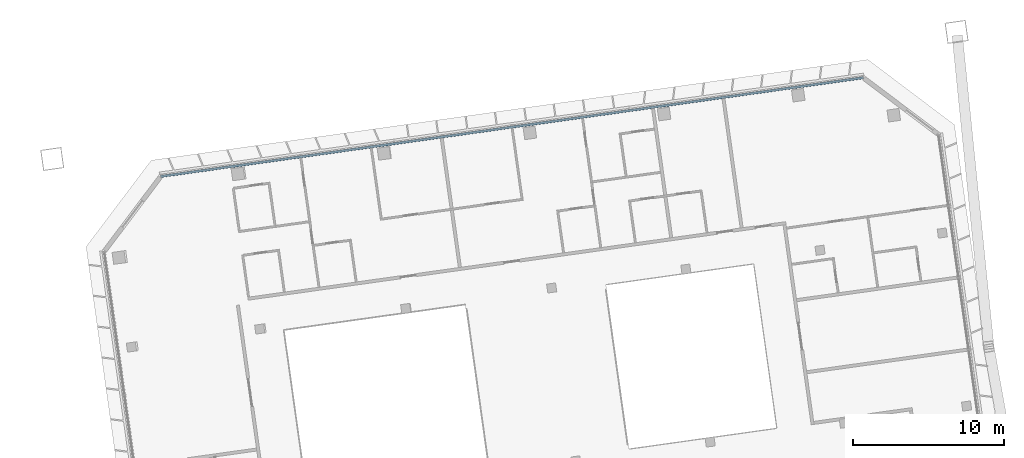
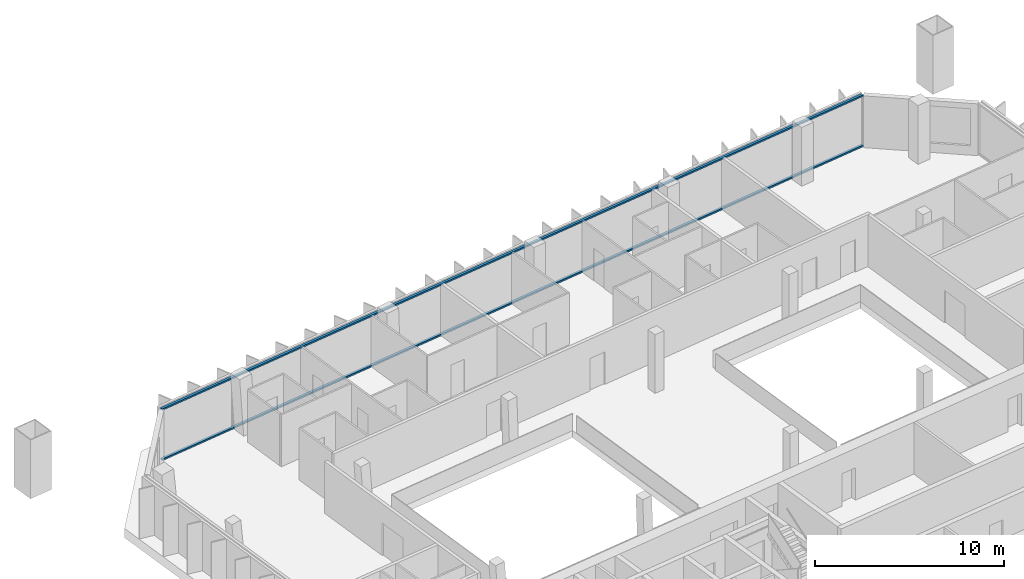
# One storey, part 10 of 23: 2 members, 1 element without a shape of its own.
"""IFC4 building model written with IfcOpenShell, lengths in metres."""

from ifc_helpers import new_model, si_unit, direction, frame, origin, origin_2d, place, context, subcontext, project, spatial, rectangle, extrude, material, material_profile, profile_set, type_object, element, aggregate, save


model = new_model("IFC4")

# Units and contexts
model_context = context("Model", 3, precision=1e-05, world=origin(), true_north=direction((0.0, 1.0)))
body_context = subcontext(model_context, "Body", "Model", "MODEL_VIEW")
ifc_project = project(units=[si_unit("LENGTHUNIT", "METRE"), si_unit("AREAUNIT", "SQUARE_METRE"), si_unit("VOLUMEUNIT", "CUBIC_METRE"), si_unit("PLANEANGLEUNIT", "RADIAN"), si_unit("MASSUNIT", "GRAM", prefix="KILO")], contexts=[model_context])

# Site, building, storey
site_placement = place(None, origin())
site = spatial("IfcSite", under=ifc_project, at=site_placement, CompositionType="ELEMENT")
building_placement = place(site_placement, origin())
building = spatial("IfcBuilding", under=site, at=building_placement, Name="Mirante Cascada Hotel Towers", CompositionType="ELEMENT")
storey_placement = place(building_placement, frame((0.0, 0.0, 195.4)))
storey = spatial("IfcBuildingStorey", under=building, at=storey_placement, Name="L46", CompositionType="ELEMENT", Elevation=195.4)

# Curtain wall, members
ifc_material_1 = material(Name="Aluminium mullion and transom frame with clear laminated glass", Category="aluminium")
curtain_wall_type = type_object("IfcCurtainWallType", Name="Ribbon curtain wall ECW1", PredefinedType="NOTDEFINED", material=ifc_material_1)
curtain_wall_placement = place(storey_placement, origin())
curtain_wall = element("IfcCurtainWall", 1, at=curtain_wall_placement, inside=storey, type_object=curtain_wall_type, Name="Front ribbon wall T2 L46", PredefinedType="NOTDEFINED")
ifc_material_2 = material(Name="Anodised aluminium extrusion", Category="aluminium")
ifc_material_profile = material_profile(ifc_material_2, rectangle(XDim=0.16, YDim=0.1, at=origin_2d()), Name="ECW1 TRANSOM 100x160")
ifc_profile_set = profile_set([ifc_material_profile], Name="Anodised aluminium extrusion")
member_type = type_object("IfcMemberType", Name="ECW1 transom 100x160", PredefinedType="USERDEFINED", material=ifc_profile_set)
member_1_placement = place(storey_placement, frame((76.3333, 23.547, 0.05), z_axis=(-0.9902679, -0.1391746, 0.0), x_axis=(0.1391746, -0.9902679, 0.0)))
member_1 = element("IfcMember", 2, at=member_1_placement, type_object=member_type, Name="ECW1 sill transom", ObjectType="TRANSOM", PredefinedType="USERDEFINED", context=body_context, shape_type="SweptSolid", body=[
    extrude(rectangle(XDim=0.16, YDim=0.1, at=origin_2d()), origin(), (0.0, 0.0, 1.0), 47.1214),
])
member_2_placement = place(storey_placement, frame((76.3333, 23.547, 3.3), z_axis=(-0.9902679, -0.1391746, 0.0), x_axis=(0.1391746, -0.9902679, 0.0)))
member_2 = element("IfcMember", 3, at=member_2_placement, type_object=member_type, Name="ECW1 head transom", ObjectType="TRANSOM", PredefinedType="USERDEFINED", context=body_context, shape_type="SweptSolid", body=[
    extrude(rectangle(XDim=0.16, YDim=0.1, at=origin_2d()), origin(), (0.0, 0.0, 1.0), 47.1214),
])
aggregate(curtain_wall, [member_1, member_2])

save(model, "model.ifc")
